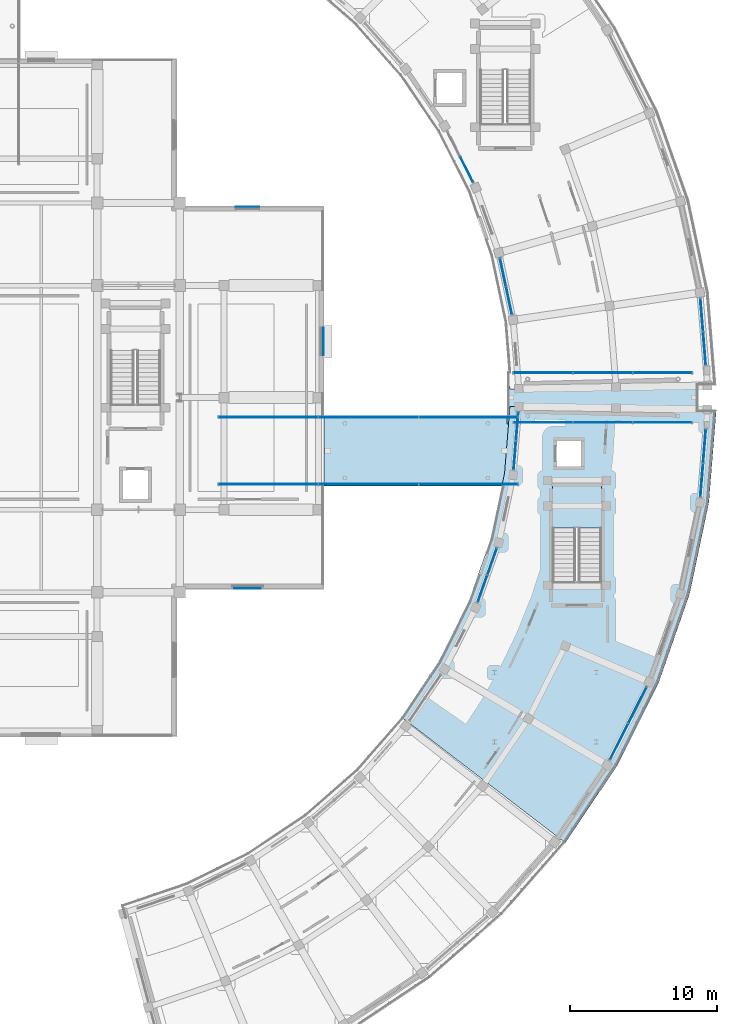
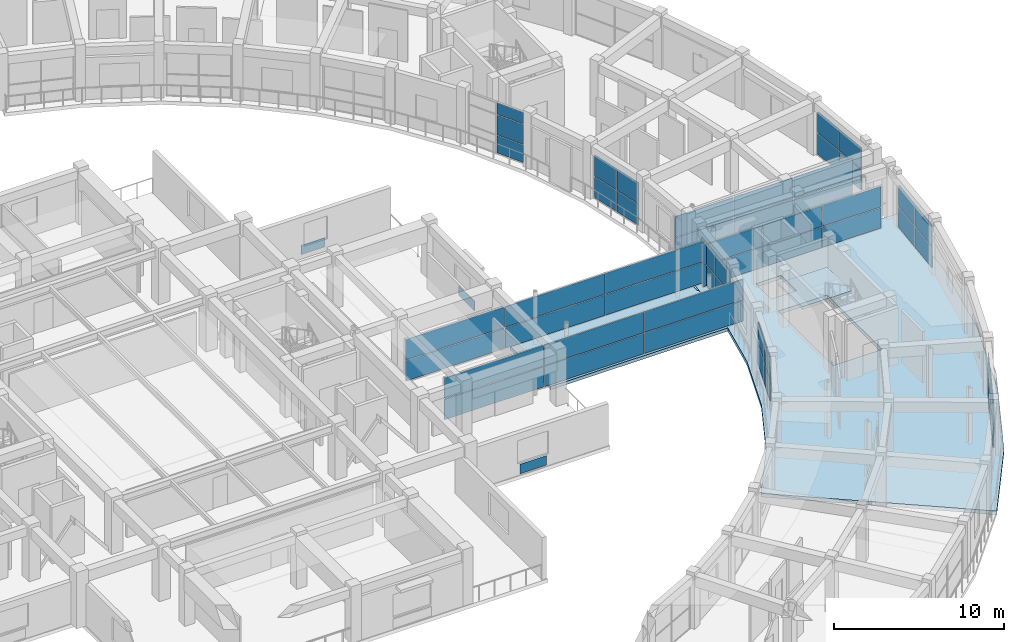
# One storey, part 40 of 70: 54 plates, 4 slabs, 12 elements without a shape of their own.
"""IFC4 building model written with IfcOpenShell, lengths in metres."""

import ifcopenshell
import ifcopenshell.guid

model = None  # the IFC model being written
_history = None  # IfcOwnerHistory: only IFC2X3 demands one
_inside = {}  # id of a spatial element -> (the spatial element, [elements in it])
_under = {}  # id of a project, library or spatial element -> (it, [spatial elements below it])
_declared = {}  # id of a project -> (the project, [libraries it declares])
_typed = {}  # id of a type object -> (the type object, [elements of that type])
_made_of = {}  # id of a material, layer set ... -> (it, [elements and type objects made of it])


def new_model(schema):
    """Start an empty IFC model of exactly this schema.

    Asked for "IFC4X3", IfcOpenShell would pick the latest addendum, in which some entities
    have other attributes; the version numbers below select the first issue.
    IFC2X3 requires an IfcOwnerHistory on every rooted entity: one is made here for all.
    """
    global model, _history
    if schema == "IFC4X3":
        model = ifcopenshell.file(schema_version=(4, 3, 0, 0))
    else:
        model = ifcopenshell.file(schema=schema)
    _inside.clear()
    _under.clear()
    _declared.clear()
    _typed.clear()
    _made_of.clear()
    _history = None
    if model.schema == "IFC2X3":
        org = make("IfcOrganization", Name="unknown")
        user = make(
            "IfcPersonAndOrganization",
            ThePerson=make("IfcPerson", FamilyName="unknown"),
            TheOrganization=org,
        )
        app = make(
            "IfcApplication",
            ApplicationDeveloper=org,
            Version="unknown",
            ApplicationFullName="unknown",
            ApplicationIdentifier="unknown",
        )
        _history = make(
            "IfcOwnerHistory",
            OwningUser=user,
            OwningApplication=app,
            ChangeAction="ADDED",
            CreationDate=0,
        )
    return model


def make(cls, **values):
    """One entity of the class cls with the attributes given. An attribute that is None is left unset."""
    return model.create_entity(
        cls, **{name: value for name, value in values.items() if value is not None}
    )


def rooted(cls, **values):
    """An entity with a GlobalId (a new one), such as an element, a storey or a relation."""
    return make(cls, GlobalId=ifcopenshell.guid.new(), OwnerHistory=_history, **values)


def si_unit(unit_type, name, prefix=None):
    """IfcSIUnit, for example si_unit("LENGTHUNIT", "METRE", prefix="MILLI")."""
    return make("IfcSIUnit", UnitType=unit_type, Prefix=prefix, Name=name)


def assignment(units):
    """IfcUnitAssignment: the units of a project."""
    return None if units is None else make("IfcUnitAssignment", Units=units)


def point(xyz):
    """IfcCartesianPoint."""
    return None if xyz is None else make("IfcCartesianPoint", Coordinates=xyz)


def direction(xyz):
    """IfcDirection."""
    return None if xyz is None else make("IfcDirection", DirectionRatios=xyz)


def frame(location, z_axis=None, x_axis=None):
    """IfcAxis2Placement3D, a coordinate frame: its origin and axes. An axis left out is left unset."""
    return make(
        "IfcAxis2Placement3D",
        Location=point(location),
        Axis=direction(z_axis),
        RefDirection=direction(x_axis),
    )


def frame_2d(location, x_axis=None):
    """IfcAxis2Placement2D, a coordinate frame in the plane: its origin and x axis."""
    return make(
        "IfcAxis2Placement2D", Location=point(location), RefDirection=direction(x_axis)
    )


def origin():
    """The frame at (0, 0, 0) with its axes left unset."""
    return frame((0.0, 0.0, 0.0))


def origin_2d():
    """The frame at (0, 0) in the plane with its x axis left unset."""
    return frame_2d((0.0, 0.0))


def place(relative_to, where):
    """IfcLocalPlacement: puts the frame where relative to a parent placement (None: the world)."""
    return make(
        "IfcLocalPlacement", PlacementRelTo=relative_to, RelativePlacement=where
    )


def context(
    kind, dimensions, precision=None, world=None, true_north=None, identifier=None
):
    """IfcGeometricRepresentationContext, for example the 3D "Model" context."""
    return make(
        "IfcGeometricRepresentationContext",
        ContextIdentifier=identifier,
        ContextType=kind,
        CoordinateSpaceDimension=dimensions,
        Precision=precision,
        WorldCoordinateSystem=world,
        TrueNorth=true_north,
    )


def subcontext(parent, identifier, kind, view, scale=None):
    """IfcGeometricRepresentationSubContext, for example "Body" below "Model"."""
    return make(
        "IfcGeometricRepresentationSubContext",
        ContextIdentifier=identifier,
        ContextType=kind,
        ParentContext=parent,
        TargetScale=scale,
        TargetView=view,
    )


def project(units=None, contexts=None):
    """IfcProject with its units and contexts."""
    return rooted(
        "IfcProject",
        Name="project",
        RepresentationContexts=contexts,
        UnitsInContext=assignment(units),
    )


def spatial(cls, under=None, at=None, **own):
    """A site, building, storey or space (cls), placed at a placement, below another one or the project."""
    s = rooted(cls, ObjectPlacement=at, **own)
    if under is not None:
        _under.setdefault(under.id(), (under, []))[1].append(s)
    return s


def polyline(points):
    """IfcPolyline through the points."""
    return make("IfcPolyline", Points=[point(p) for p in points])


def profile(cls, at=None, kind="AREA", **sizes):
    """A parametric profile (cls). Its sizes go by their IFC names, for example OverallWidth=200.0."""
    return make(cls, ProfileType=kind, Position=at, **sizes)


def rectangle(**sizes):
    """IfcRectangleProfileDef."""
    return profile("IfcRectangleProfileDef", **sizes)


def outline(outer, holes=None, kind="AREA"):
    """IfcArbitraryClosedProfileDef: a profile drawn as a closed curve; with holes, ...WithVoids."""
    if holes is None:
        return make("IfcArbitraryClosedProfileDef", ProfileType=kind, OuterCurve=outer)
    return make(
        "IfcArbitraryProfileDefWithVoids",
        ProfileType=kind,
        OuterCurve=outer,
        InnerCurves=holes,
    )


def extrude(swept, where, along, depth):
    """IfcExtrudedAreaSolid: the profile swept, set in the frame where, extruded along a direction by depth."""
    return make(
        "IfcExtrudedAreaSolid",
        SweptArea=swept,
        Position=where,
        ExtrudedDirection=direction(along),
        Depth=depth,
    )


def shape(context_of_items, identifier, shape_type, items):
    """IfcShapeRepresentation: the items that make up one representation, for example the "Body"."""
    return make(
        "IfcShapeRepresentation",
        ContextOfItems=context_of_items,
        RepresentationIdentifier=identifier,
        RepresentationType=shape_type,
        Items=items,
    )


def material(Name=None, Category=None):
    """IfcMaterial."""
    return make("IfcMaterial", Name=Name, Category=Category)


def layer(
    of_material, thickness, ventilated=None, Name=None, Category=None, Priority=None
):
    """IfcMaterialLayer: one layer of a wall or slab, of a material (None: an air gap)."""
    return make(
        "IfcMaterialLayer",
        Material=of_material,
        LayerThickness=thickness,
        IsVentilated=ventilated,
        Name=Name,
        Category=Category,
        Priority=Priority,
    )


def layer_set(layers, Name=None):
    """IfcMaterialLayerSet."""
    return make("IfcMaterialLayerSet", MaterialLayers=layers, LayerSetName=Name)


def made_of(thing, what):
    """Note that an element or type object is made of a material, layer set ...; save() writes the relation."""
    if what is not None:
        _made_of.setdefault(what.id(), (what, []))[1].append(thing)
    return thing


def type_object(cls, material=None, **own):
    """A type object (cls), such as IfcWallType, which elements share."""
    return made_of(rooted(cls, **own), material)


def element(
    cls,
    number,
    at=None,
    inside=None,
    cuts=None,
    type_object=None,
    material=None,
    context=None,
    identifier="Body",
    shape_type=None,
    held_by="IfcProductDefinitionShape",
    body=None,
    shapes=None,
    **own,
):
    """One element of the class cls, such as IfcWall. Its Tag is "e" and its number.

    at: its placement. inside: the storey or other place that contains it. cuts: it is an
    opening in that element (IfcRelVoidsElement). A single representation is given by context,
    identifier, shape_type and body (its items); several are given by shapes. held_by: the class
    of the entity that holds the representations. save() writes the other relations.
    """
    e = rooted(cls, Tag="e%d" % number, ObjectPlacement=at, **own)
    if body is not None:
        shapes = [shape(context, identifier, shape_type, body)]
    if shapes is not None:
        e.Representation = make(held_by, Representations=shapes)
    if inside is not None:
        _inside.setdefault(inside.id(), (inside, []))[1].append(e)
    if cuts is not None:
        rooted(
            "IfcRelVoidsElement", RelatingBuildingElement=cuts, RelatedOpeningElement=e
        )
    if type_object is not None:
        _typed.setdefault(type_object.id(), (type_object, []))[1].append(e)
    return made_of(e, material)


def aggregate(whole, parts):
    """IfcRelAggregates: a whole, such as a stair, and the parts it consists of."""
    return rooted("IfcRelAggregates", RelatingObject=whole, RelatedObjects=parts)


def save(model, path):
    """Write the relations noted so far, then the file.

    IfcRelAggregates (storeys below a building ...), IfcRelContainedInSpatialStructure (elements
    in a storey), IfcRelDefinesByType, IfcRelAssociatesMaterial and IfcRelDeclares: one each for
    every whole, place, type object, material and project.
    """
    for whole, parts in _under.values():
        aggregate(whole, parts)
    for where, things in _inside.values():
        rooted(
            "IfcRelContainedInSpatialStructure",
            RelatedElements=things,
            RelatingStructure=where,
        )
    for kind, things in _typed.values():
        rooted("IfcRelDefinesByType", RelatedObjects=things, RelatingType=kind)
    for what, things in _made_of.values():
        rooted("IfcRelAssociatesMaterial", RelatedObjects=things, RelatingMaterial=what)
    for by, libraries in _declared.values():
        rooted("IfcRelDeclares", RelatingContext=by, RelatedDefinitions=libraries)
    model.write(path)


model = new_model("IFC4")

# Units and contexts
model_context = context("Model", 3, precision=1e-05, world=origin(), true_north=direction((0.0, 1.0)))
body_context = subcontext(model_context, "Body", "Model", "MODEL_VIEW")
ifc_project = project(units=[si_unit("LENGTHUNIT", "METRE"), si_unit("AREAUNIT", "SQUARE_METRE"), si_unit("VOLUMEUNIT", "CUBIC_METRE"), si_unit("PLANEANGLEUNIT", "RADIAN"), si_unit("MASSUNIT", "GRAM", prefix="KILO")], contexts=[model_context])

# Site, building, storey
site_placement = place(None, origin())
site = spatial("IfcSite", under=ifc_project, at=site_placement, CompositionType="ELEMENT")
building_placement = place(site_placement, origin())
building = spatial("IfcBuilding", under=site, at=building_placement, Name="Saryqyr Civic Hall", CompositionType="ELEMENT")
storey_placement = place(building_placement, frame((0.0, 0.0, 13.199951171875)))
storey = spatial("IfcBuildingStorey", under=building, at=storey_placement, Name="L03", CompositionType="ELEMENT", Elevation=13.199951171875)

# Curtain wall, plates
ifc_material_1 = material(Name="Anodised aluminium and triple low-E glass", Category="aluminium")
curtain_wall_type_1 = type_object("IfcCurtainWallType", Name="ENV-CW-STD-40", PredefinedType="NOTDEFINED", material=ifc_material_1)
curtain_wall_1_placement = place(storey_placement, origin())
curtain_wall_1 = element("IfcCurtainWall", 1, at=curtain_wall_1_placement, inside=storey, type_object=curtain_wall_type_1, Name="Curtain wall V5-CWO-L03-06", PredefinedType="NOTDEFINED")
ifc_material_2 = material(Name="Triple low-E insulated glazing", Category="glass")
ifc_layer_1 = layer(ifc_material_2, 0.053955078125, Name="Triple low-E insulated glazing")
ifc_layer_set_1 = layer_set([ifc_layer_1], Name="Triple low-E insulated glazing")
plate_type_1 = type_object("IfcPlateType", Name="ENV-CW-PNL-38", PredefinedType="CURTAIN_PANEL", material=ifc_layer_set_1)
plate_1_placement = place(storey_placement, frame((101.241455078125, 63.129638671875, 0.06005859375), z_axis=(0.0, 0.0, 1.0), x_axis=(-0.451943063525, -0.892046785394, 0.0)))
plate_1 = element("IfcPlate", 2, at=plate_1_placement, type_object=plate_type_1, Name="CW-40 panel 1.1", PredefinedType="CURTAIN_PANEL", context=body_context, shape_type="SweptSolid", body=[
    extrude(rectangle(XDim=2.693115234375, YDim=0.053955078125, at=origin_2d()), origin(), (0.0, 0.0, 1.0), 1.491943359375),
])
plate_2_placement = place(storey_placement, frame((101.241455078125, 63.129638671875, 1.6123046875), z_axis=(0.0, 0.0, 1.0), x_axis=(-0.451943063525, -0.892046785394, 0.0)))
plate_2 = element("IfcPlate", 3, at=plate_2_placement, type_object=plate_type_1, Name="CW-40 panel 1.2", PredefinedType="CURTAIN_PANEL", context=body_context, shape_type="SweptSolid", body=[
    extrude(rectangle(XDim=2.693115234375, YDim=0.053955078125, at=origin_2d()), origin(), (0.0, 0.0, 1.0), 1.492919921875),
])
plate_3_placement = place(storey_placement, frame((99.997314453125, 60.673828125, 0.06005859375), z_axis=(0.0, 0.0, 1.0), x_axis=(-0.451943063525, -0.892046785394, 0.0)))
plate_3 = element("IfcPlate", 4, at=plate_3_placement, type_object=plate_type_1, Name="CW-40 panel 2.1", PredefinedType="CURTAIN_PANEL", context=body_context, shape_type="SweptSolid", body=[
    extrude(rectangle(XDim=2.693115234375, YDim=0.053955078125, at=origin_2d()), origin(), (0.0, 0.0, 1.0), 1.491943359375),
])
plate_4_placement = place(storey_placement, frame((99.997314453125, 60.673828125, 1.6123046875), z_axis=(0.0, 0.0, 1.0), x_axis=(-0.451943063525, -0.892046785394, 0.0)))
plate_4 = element("IfcPlate", 5, at=plate_4_placement, type_object=plate_type_1, Name="CW-40 panel 2.2", PredefinedType="CURTAIN_PANEL", context=body_context, shape_type="SweptSolid", body=[
    extrude(rectangle(XDim=2.693115234375, YDim=0.053955078125, at=origin_2d()), origin(), (0.0, 0.0, 1.0), 1.492919921875),
])
aggregate(curtain_wall_1, [plate_1, plate_2, plate_3, plate_4])

curtain_wall_type_2 = type_object("IfcCurtainWallType", Name="ENV-CW-STD-21", PredefinedType="NOTDEFINED", material=ifc_material_1)
curtain_wall_2_placement = place(storey_placement, origin())
curtain_wall_2 = element("IfcCurtainWall", 6, at=curtain_wall_2_placement, inside=storey, type_object=curtain_wall_type_2, Name="Curtain wall V5-CWI-L03-07", PredefinedType="NOTDEFINED")
plate_5_placement = place(storey_placement, frame((90.73583984375, 71.0458984375, 0.06005859375), z_axis=(0.0, 0.0, 1.0), x_axis=(0.333171977335, 0.94286607401, 0.0)))
plate_5 = element("IfcPlate", 7, at=plate_5_placement, type_object=plate_type_1, Name="CW-21 panel 1.1", PredefinedType="CURTAIN_PANEL", context=body_context, shape_type="SweptSolid", body=[
    extrude(rectangle(XDim=1.886962890625, YDim=0.053955078125, at=origin_2d()), origin(), (0.0, 0.0, 1.0), 1.491943359375),
])
plate_6_placement = place(storey_placement, frame((90.73583984375, 71.0458984375, 1.6123046875), z_axis=(0.0, 0.0, 1.0), x_axis=(0.333171977335, 0.94286607401, 0.0)))
plate_6 = element("IfcPlate", 8, at=plate_6_placement, type_object=plate_type_1, Name="CW-21 panel 1.2", PredefinedType="CURTAIN_PANEL", context=body_context, shape_type="SweptSolid", body=[
    extrude(rectangle(XDim=1.886962890625, YDim=0.053955078125, at=origin_2d()), origin(), (0.0, 0.0, 1.0), 1.492919921875),
])
plate_7_placement = place(storey_placement, frame((91.384765625, 72.881591796875, 0.06005859375), z_axis=(0.0, 0.0, 1.0), x_axis=(0.333171977335, 0.94286607401, 0.0)))
plate_7 = element("IfcPlate", 9, at=plate_7_placement, type_object=plate_type_1, Name="CW-21 panel 2.1", PredefinedType="CURTAIN_PANEL", context=body_context, shape_type="SweptSolid", body=[
    extrude(rectangle(XDim=1.886962890625, YDim=0.053955078125, at=origin_2d()), origin(), (0.0, 0.0, 1.0), 1.491943359375),
])
plate_8_placement = place(storey_placement, frame((91.384765625, 72.881591796875, 1.6123046875), z_axis=(0.0, 0.0, 1.0), x_axis=(0.333171977335, 0.94286607401, 0.0)))
plate_8 = element("IfcPlate", 10, at=plate_8_placement, type_object=plate_type_1, Name="CW-21 panel 2.2", PredefinedType="CURTAIN_PANEL", context=body_context, shape_type="SweptSolid", body=[
    extrude(rectangle(XDim=1.886962890625, YDim=0.053955078125, at=origin_2d()), origin(), (0.0, 0.0, 1.0), 1.492919921875),
])
aggregate(curtain_wall_2, [plate_5, plate_6, plate_7, plate_8])

curtain_wall_type_3 = type_object("IfcCurtainWallType", Name="ENV-CW-STD-41", PredefinedType="NOTDEFINED", material=ifc_material_1)
curtain_wall_3_placement = place(storey_placement, origin())
curtain_wall_3 = element("IfcCurtainWall", 11, at=curtain_wall_3_placement, inside=storey, type_object=curtain_wall_type_3, Name="Curtain wall V5-CWO-L03-09", PredefinedType="NOTDEFINED")
plate_9_placement = place(storey_placement, frame((105.791748046875, 80.712646484375, 0.06005859375), z_axis=(0.0, 0.0, 1.0), x_axis=(-0.081092831142, -0.996706552972, 0.0)))
plate_9 = element("IfcPlate", 12, at=plate_9_placement, type_object=plate_type_1, Name="CW-41 panel 1.1", PredefinedType="CURTAIN_PANEL", context=body_context, shape_type="SweptSolid", body=[
    extrude(rectangle(XDim=2.256103515625, YDim=0.053955078125, at=origin_2d()), origin(), (0.0, 0.0, 1.0), 1.491943359375),
])
plate_10_placement = place(storey_placement, frame((105.791748046875, 80.712646484375, 1.6123046875), z_axis=(0.0, 0.0, 1.0), x_axis=(-0.081092831142, -0.996706552972, 0.0)))
plate_10 = element("IfcPlate", 13, at=plate_10_placement, type_object=plate_type_1, Name="CW-41 panel 1.2", PredefinedType="CURTAIN_PANEL", context=body_context, shape_type="SweptSolid", body=[
    extrude(rectangle(XDim=2.256103515625, YDim=0.053955078125, at=origin_2d()), origin(), (0.0, 0.0, 1.0), 1.492919921875),
])
plate_11_placement = place(storey_placement, frame((105.60400390625, 78.404052734375, 0.06005859375), z_axis=(0.0, 0.0, 1.0), x_axis=(-0.081092831142, -0.996706552972, 0.0)))
plate_11 = element("IfcPlate", 14, at=plate_11_placement, type_object=plate_type_1, Name="CW-41 panel 2.1", PredefinedType="CURTAIN_PANEL", context=body_context, shape_type="SweptSolid", body=[
    extrude(rectangle(XDim=2.256103515625, YDim=0.053955078125, at=origin_2d()), origin(), (0.0, 0.0, 1.0), 1.491943359375),
])
plate_12_placement = place(storey_placement, frame((105.60400390625, 78.404052734375, 1.6123046875), z_axis=(0.0, 0.0, 1.0), x_axis=(-0.081092831142, -0.996706552972, 0.0)))
plate_12 = element("IfcPlate", 15, at=plate_12_placement, type_object=plate_type_1, Name="CW-41 panel 2.2", PredefinedType="CURTAIN_PANEL", context=body_context, shape_type="SweptSolid", body=[
    extrude(rectangle(XDim=2.256103515625, YDim=0.053955078125, at=origin_2d()), origin(), (0.0, 0.0, 1.0), 1.492919921875),
])
aggregate(curtain_wall_3, [plate_9, plate_10, plate_11, plate_12])

curtain_wall_4_placement = place(storey_placement, origin())
curtain_wall_4 = element("IfcCurtainWall", 16, at=curtain_wall_4_placement, inside=storey, type_object=curtain_wall_type_2, Name="Curtain wall V5-CWI-L03-09", PredefinedType="NOTDEFINED")
plate_13_placement = place(storey_placement, frame((92.92578125, 80.08984375, 0.06005859375), z_axis=(0.0, 0.0, 1.0), x_axis=(0.081090889978, 0.996706710905, 0.0)))
plate_13 = element("IfcPlate", 17, at=plate_13_placement, type_object=plate_type_1, Name="CW-21 panel 1.1", PredefinedType="CURTAIN_PANEL", context=body_context, shape_type="SweptSolid", body=[
    extrude(rectangle(XDim=1.906494140625, YDim=0.053955078125, at=origin_2d()), origin(), (0.0, 0.0, 1.0), 1.491943359375),
])
plate_14_placement = place(storey_placement, frame((92.92578125, 80.08984375, 1.6123046875), z_axis=(0.0, 0.0, 1.0), x_axis=(0.081090889978, 0.996706710905, 0.0)))
plate_14 = element("IfcPlate", 18, at=plate_14_placement, type_object=plate_type_1, Name="CW-21 panel 1.2", PredefinedType="CURTAIN_PANEL", context=body_context, shape_type="SweptSolid", body=[
    extrude(rectangle(XDim=1.906494140625, YDim=0.053955078125, at=origin_2d()), origin(), (0.0, 0.0, 1.0), 1.492919921875),
])
plate_15_placement = place(storey_placement, frame((93.085205078125, 82.0498046875, 0.06005859375), z_axis=(0.0, 0.0, 1.0), x_axis=(0.081090889978, 0.996706710905, 0.0)))
plate_15 = element("IfcPlate", 19, at=plate_15_placement, type_object=plate_type_1, Name="CW-21 panel 2.1", PredefinedType="CURTAIN_PANEL", context=body_context, shape_type="SweptSolid", body=[
    extrude(rectangle(XDim=1.906494140625, YDim=0.053955078125, at=origin_2d()), origin(), (0.0, 0.0, 1.0), 1.491943359375),
])
plate_16_placement = place(storey_placement, frame((93.085205078125, 82.0498046875, 1.6123046875), z_axis=(0.0, 0.0, 1.0), x_axis=(0.081090889978, 0.996706710905, 0.0)))
plate_16 = element("IfcPlate", 20, at=plate_16_placement, type_object=plate_type_1, Name="CW-21 panel 2.2", PredefinedType="CURTAIN_PANEL", context=body_context, shape_type="SweptSolid", body=[
    extrude(rectangle(XDim=1.906494140625, YDim=0.053955078125, at=origin_2d()), origin(), (0.0, 0.0, 1.0), 1.492919921875),
])
aggregate(curtain_wall_4, [plate_13, plate_14, plate_15, plate_16])

curtain_wall_type_4 = type_object("IfcCurtainWallType", Name="ENV-CW-STD-30", PredefinedType="NOTDEFINED", material=ifc_material_1)
curtain_wall_5_placement = place(storey_placement, origin())
curtain_wall_5 = element("IfcCurtainWall", 21, at=curtain_wall_5_placement, inside=storey, type_object=curtain_wall_type_4, Name="Curtain wall V6-CWO-L03-00", PredefinedType="NOTDEFINED")
plate_17_placement = place(storey_placement, frame((105.6025390625, 89.61474609375, 0.06005859375), z_axis=(0.0, 0.0, 1.0), x_axis=(0.081093274213, -0.996706516923, 0.0)))
plate_17 = element("IfcPlate", 22, at=plate_17_placement, type_object=plate_type_1, Name="CW-30 panel 1.1", PredefinedType="CURTAIN_PANEL", context=body_context, shape_type="SweptSolid", body=[
    extrude(rectangle(XDim=2.218505859375, YDim=0.053955078125, at=origin_2d()), origin(), (0.0, 0.0, 1.0), 1.491943359375),
])
plate_18_placement = place(storey_placement, frame((105.6025390625, 89.61474609375, 1.6123046875), z_axis=(0.0, 0.0, 1.0), x_axis=(0.081093274213, -0.996706516923, 0.0)))
plate_18 = element("IfcPlate", 23, at=plate_18_placement, type_object=plate_type_1, Name="CW-30 panel 1.2", PredefinedType="CURTAIN_PANEL", context=body_context, shape_type="SweptSolid", body=[
    extrude(rectangle(XDim=2.218505859375, YDim=0.053955078125, at=origin_2d()), origin(), (0.0, 0.0, 1.0), 1.492919921875),
])
plate_19_placement = place(storey_placement, frame((105.787353515625, 87.34375, 0.06005859375), z_axis=(0.0, 0.0, 1.0), x_axis=(0.081093274213, -0.996706516923, 0.0)))
plate_19 = element("IfcPlate", 24, at=plate_19_placement, type_object=plate_type_1, Name="CW-30 panel 2.1", PredefinedType="CURTAIN_PANEL", context=body_context, shape_type="SweptSolid", body=[
    extrude(rectangle(XDim=2.218505859375, YDim=0.053955078125, at=origin_2d()), origin(), (0.0, 0.0, 1.0), 1.491943359375),
])
plate_20_placement = place(storey_placement, frame((105.787353515625, 87.34375, 1.6123046875), z_axis=(0.0, 0.0, 1.0), x_axis=(0.081093274213, -0.996706516923, 0.0)))
plate_20 = element("IfcPlate", 25, at=plate_20_placement, type_object=plate_type_1, Name="CW-30 panel 2.2", PredefinedType="CURTAIN_PANEL", context=body_context, shape_type="SweptSolid", body=[
    extrude(rectangle(XDim=2.218505859375, YDim=0.053955078125, at=origin_2d()), origin(), (0.0, 0.0, 1.0), 1.492919921875),
])
aggregate(curtain_wall_5, [plate_17, plate_18, plate_19, plate_20])

curtain_wall_6_placement = place(storey_placement, origin())
curtain_wall_6 = element("IfcCurtainWall", 26, at=curtain_wall_6_placement, inside=storey, type_object=curtain_wall_type_2, Name="Curtain wall V6-CWI-L03-01", PredefinedType="NOTDEFINED")
plate_21_placement = place(storey_placement, frame((92.5322265625, 90.587890625, 0.06005859375), z_axis=(0.0, 0.0, 1.0), x_axis=(-0.208899296688, 0.97793715741, 0.0)))
plate_21 = element("IfcPlate", 27, at=plate_21_placement, type_object=plate_type_1, Name="CW-21 panel 1.1", PredefinedType="CURTAIN_PANEL", context=body_context, shape_type="SweptSolid", body=[
    extrude(rectangle(XDim=1.89990234375, YDim=0.053955078125, at=origin_2d()), origin(), (0.0, 0.0, 1.0), 1.491943359375),
])
plate_22_placement = place(storey_placement, frame((92.5322265625, 90.587890625, 1.6123046875), z_axis=(0.0, 0.0, 1.0), x_axis=(-0.208899296688, 0.97793715741, 0.0)))
plate_22 = element("IfcPlate", 28, at=plate_22_placement, type_object=plate_type_1, Name="CW-21 panel 1.2", PredefinedType="CURTAIN_PANEL", context=body_context, shape_type="SweptSolid", body=[
    extrude(rectangle(XDim=1.89990234375, YDim=0.053955078125, at=origin_2d()), origin(), (0.0, 0.0, 1.0), 1.492919921875),
])
plate_23_placement = place(storey_placement, frame((92.122802734375, 92.50439453125, 0.06005859375), z_axis=(0.0, 0.0, 1.0), x_axis=(-0.208899296688, 0.97793715741, 0.0)))
plate_23 = element("IfcPlate", 29, at=plate_23_placement, type_object=plate_type_1, Name="CW-21 panel 2.1", PredefinedType="CURTAIN_PANEL", context=body_context, shape_type="SweptSolid", body=[
    extrude(rectangle(XDim=1.89990234375, YDim=0.053955078125, at=origin_2d()), origin(), (0.0, 0.0, 1.0), 1.491943359375),
])
plate_24_placement = place(storey_placement, frame((92.122802734375, 92.50439453125, 1.6123046875), z_axis=(0.0, 0.0, 1.0), x_axis=(-0.208899296688, 0.97793715741, 0.0)))
plate_24 = element("IfcPlate", 30, at=plate_24_placement, type_object=plate_type_1, Name="CW-21 panel 2.2", PredefinedType="CURTAIN_PANEL", context=body_context, shape_type="SweptSolid", body=[
    extrude(rectangle(XDim=1.89990234375, YDim=0.053955078125, at=origin_2d()), origin(), (0.0, 0.0, 1.0), 1.492919921875),
])
aggregate(curtain_wall_6, [plate_21, plate_22, plate_23, plate_24])

curtain_wall_type_5 = type_object("IfcCurtainWallType", Name="ENV-CW-STD-48", PredefinedType="NOTDEFINED", material=ifc_material_1)
curtain_wall_7_placement = place(storey_placement, origin())
curtain_wall_7 = element("IfcCurtainWall", 31, at=curtain_wall_7_placement, inside=storey, type_object=curtain_wall_type_5, Name="Curtain wall V6-CWI-L03-03", PredefinedType="NOTDEFINED")
plate_25_placement = place(storey_placement, frame((89.66015625, 99.466552734375, 0.06005859375), z_axis=(0.0, 0.0, 1.0), x_axis=(-0.451909750219, 0.892063662334, 0.0)))
plate_25 = element("IfcPlate", 32, at=plate_25_placement, type_object=plate_type_1, Name="CW-48 panel 1.1", PredefinedType="CURTAIN_PANEL", context=body_context, shape_type="SweptSolid", body=[
    extrude(rectangle(XDim=1.866455078125, YDim=0.053955078125, at=origin_2d()), origin(), (0.0, 0.0, 1.0), 1.241943359375),
])
plate_26_placement = place(storey_placement, frame((89.66015625, 99.466552734375, 1.362060546875), z_axis=(0.0, 0.0, 1.0), x_axis=(-0.451909750219, 0.892063662334, 0.0)))
plate_26 = element("IfcPlate", 33, at=plate_26_placement, type_object=plate_type_1, Name="CW-48 panel 1.2", PredefinedType="CURTAIN_PANEL", context=body_context, shape_type="SweptSolid", body=[
    extrude(rectangle(XDim=1.866455078125, YDim=0.053955078125, at=origin_2d()), origin(), (0.0, 0.0, 1.0), 1.419921875),
])
plate_27_placement = place(storey_placement, frame((89.66015625, 99.466552734375, 2.841796875), z_axis=(0.0, 0.0, 1.0), x_axis=(-0.451909750219, 0.892063662334, 0.0)))
plate_27 = element("IfcPlate", 34, at=plate_27_placement, type_object=plate_type_1, Name="CW-48 panel 1.3", PredefinedType="CURTAIN_PANEL", context=body_context, shape_type="SweptSolid", body=[
    extrude(rectangle(XDim=1.866455078125, YDim=0.053955078125, at=origin_2d()), origin(), (0.0, 0.0, 1.0), 0.798095703125),
])
aggregate(curtain_wall_7, [plate_25, plate_26, plate_27])

curtain_wall_type_6 = type_object("IfcCurtainWallType", Name="ENV-CW-STD-81", PredefinedType="NOTDEFINED", material=ifc_material_1)
curtain_wall_8_placement = place(storey_placement, origin())
curtain_wall_8 = element("IfcCurtainWall", 35, at=curtain_wall_8_placement, inside=storey, type_object=curtain_wall_type_6, Name="Curtain wall BR-E-CW1-L03", PredefinedType="NOTDEFINED")
plate_28_placement = place(storey_placement, frame((102.95166015625, 82.320068359375, 0.06005859375), z_axis=(0.0, 0.0, 1.0), x_axis=(-1.0, 0.0, 0.0)))
plate_28 = element("IfcPlate", 36, at=plate_28_placement, type_object=plate_type_1, Name="CW-81 panel 1.1", PredefinedType="CURTAIN_PANEL", context=body_context, shape_type="SweptSolid", body=[
    extrude(rectangle(XDim=3.9765625, YDim=0.053955078125, at=origin_2d()), origin(), (0.0, 0.0, 1.0), 1.4599609375),
])
plate_29_placement = place(storey_placement, frame((102.95166015625, 82.320068359375, 1.580078125), z_axis=(0.0, 0.0, 1.0), x_axis=(-1.0, 0.0, 0.0)))
plate_29 = element("IfcPlate", 37, at=plate_29_placement, type_object=plate_type_1, Name="CW-81 panel 1.2", PredefinedType="CURTAIN_PANEL", context=body_context, shape_type="SweptSolid", body=[
    extrude(rectangle(XDim=3.9765625, YDim=0.053955078125, at=origin_2d()), origin(), (0.0, 0.0, 1.0), 1.4599609375),
])
plate_30_placement = place(storey_placement, frame((98.89990234375, 82.320068359375, 0.06005859375), z_axis=(0.0, 0.0, 1.0), x_axis=(-1.0, 0.0, 0.0)))
plate_30 = element("IfcPlate", 38, at=plate_30_placement, type_object=plate_type_1, Name="CW-81 panel 2.1", PredefinedType="CURTAIN_PANEL", context=body_context, shape_type="SweptSolid", body=[
    extrude(rectangle(XDim=4.006591796875, YDim=0.053955078125, at=origin_2d()), origin(), (0.0, 0.0, 1.0), 1.4599609375),
])
plate_31_placement = place(storey_placement, frame((98.89990234375, 82.320068359375, 1.580078125), z_axis=(0.0, 0.0, 1.0), x_axis=(-1.0, 0.0, 0.0)))
plate_31 = element("IfcPlate", 39, at=plate_31_placement, type_object=plate_type_1, Name="CW-81 panel 2.2", PredefinedType="CURTAIN_PANEL", context=body_context, shape_type="SweptSolid", body=[
    extrude(rectangle(XDim=4.006591796875, YDim=0.053955078125, at=origin_2d()), origin(), (0.0, 0.0, 1.0), 1.4599609375),
])
plate_32_placement = place(storey_placement, frame((94.848388671875, 82.320068359375, 0.06005859375), z_axis=(0.0, 0.0, 1.0), x_axis=(-1.0, 0.0, 0.0)))
plate_32 = element("IfcPlate", 40, at=plate_32_placement, type_object=plate_type_1, Name="CW-81 panel 3.1", PredefinedType="CURTAIN_PANEL", context=body_context, shape_type="SweptSolid", body=[
    extrude(rectangle(XDim=3.9765625, YDim=0.053955078125, at=origin_2d()), origin(), (0.0, 0.0, 1.0), 1.4599609375),
])
plate_33_placement = place(storey_placement, frame((94.848388671875, 82.320068359375, 1.580078125), z_axis=(0.0, 0.0, 1.0), x_axis=(-1.0, 0.0, 0.0)))
plate_33 = element("IfcPlate", 41, at=plate_33_placement, type_object=plate_type_1, Name="CW-81 panel 3.2", PredefinedType="CURTAIN_PANEL", context=body_context, shape_type="SweptSolid", body=[
    extrude(rectangle(XDim=3.9765625, YDim=0.053955078125, at=origin_2d()), origin(), (0.0, 0.0, 1.0), 1.4599609375),
])
aggregate(curtain_wall_8, [plate_28, plate_29, plate_30, plate_31, plate_32, plate_33])

curtain_wall_9_placement = place(storey_placement, origin())
curtain_wall_9 = element("IfcCurtainWall", 42, at=curtain_wall_9_placement, inside=storey, type_object=curtain_wall_type_6, Name="Curtain wall BR-E-CW2-L03", PredefinedType="NOTDEFINED")
plate_34_placement = place(storey_placement, frame((94.848388671875, 85.679931640625, 0.06005859375), z_axis=(0.0, 0.0, 1.0), x_axis=(1.0, 0.0, 0.0)))
plate_34 = element("IfcPlate", 43, at=plate_34_placement, type_object=plate_type_1, Name="CW-81 panel 1.1", PredefinedType="CURTAIN_PANEL", context=body_context, shape_type="SweptSolid", body=[
    extrude(rectangle(XDim=3.9765625, YDim=0.053955078125, at=origin_2d()), origin(), (0.0, 0.0, 1.0), 1.4599609375),
])
plate_35_placement = place(storey_placement, frame((94.848388671875, 85.679931640625, 1.580078125), z_axis=(0.0, 0.0, 1.0), x_axis=(1.0, 0.0, 0.0)))
plate_35 = element("IfcPlate", 44, at=plate_35_placement, type_object=plate_type_1, Name="CW-81 panel 1.2", PredefinedType="CURTAIN_PANEL", context=body_context, shape_type="SweptSolid", body=[
    extrude(rectangle(XDim=3.9765625, YDim=0.053955078125, at=origin_2d()), origin(), (0.0, 0.0, 1.0), 1.4599609375),
])
plate_36_placement = place(storey_placement, frame((98.89990234375, 85.679931640625, 0.06005859375), z_axis=(0.0, 0.0, 1.0), x_axis=(1.0, 0.0, 0.0)))
plate_36 = element("IfcPlate", 45, at=plate_36_placement, type_object=plate_type_1, Name="CW-81 panel 2.1", PredefinedType="CURTAIN_PANEL", context=body_context, shape_type="SweptSolid", body=[
    extrude(rectangle(XDim=4.006591796875, YDim=0.053955078125, at=origin_2d()), origin(), (0.0, 0.0, 1.0), 1.4599609375),
])
plate_37_placement = place(storey_placement, frame((98.89990234375, 85.679931640625, 1.580078125), z_axis=(0.0, 0.0, 1.0), x_axis=(1.0, 0.0, 0.0)))
plate_37 = element("IfcPlate", 46, at=plate_37_placement, type_object=plate_type_1, Name="CW-81 panel 2.2", PredefinedType="CURTAIN_PANEL", context=body_context, shape_type="SweptSolid", body=[
    extrude(rectangle(XDim=4.006591796875, YDim=0.053955078125, at=origin_2d()), origin(), (0.0, 0.0, 1.0), 1.4599609375),
])
plate_38_placement = place(storey_placement, frame((102.95166015625, 85.679931640625, 0.06005859375), z_axis=(0.0, 0.0, 1.0), x_axis=(1.0, 0.0, 0.0)))
plate_38 = element("IfcPlate", 47, at=plate_38_placement, type_object=plate_type_1, Name="CW-81 panel 3.1", PredefinedType="CURTAIN_PANEL", context=body_context, shape_type="SweptSolid", body=[
    extrude(rectangle(XDim=3.9765625, YDim=0.053955078125, at=origin_2d()), origin(), (0.0, 0.0, 1.0), 1.4599609375),
])
plate_39_placement = place(storey_placement, frame((102.95166015625, 85.679931640625, 1.580078125), z_axis=(0.0, 0.0, 1.0), x_axis=(1.0, 0.0, 0.0)))
plate_39 = element("IfcPlate", 48, at=plate_39_placement, type_object=plate_type_1, Name="CW-81 panel 3.2", PredefinedType="CURTAIN_PANEL", context=body_context, shape_type="SweptSolid", body=[
    extrude(rectangle(XDim=3.9765625, YDim=0.053955078125, at=origin_2d()), origin(), (0.0, 0.0, 1.0), 1.4599609375),
])
aggregate(curtain_wall_9, [plate_34, plate_35, plate_36, plate_37, plate_38, plate_39])

curtain_wall_type_7 = type_object("IfcCurtainWallType", Name="ENV-CW-STD-87", PredefinedType="NOTDEFINED", material=ifc_material_1)
curtain_wall_10_placement = place(storey_placement, origin())
curtain_wall_10 = element("IfcCurtainWall", 49, at=curtain_wall_10_placement, inside=storey, type_object=curtain_wall_type_7, Name="Curtain wall BR-CE-CW1-L03", PredefinedType="NOTDEFINED")
plate_40_placement = place(storey_placement, frame((89.784912109375, 78.1201171875, 0.06005859375), z_axis=(0.0, 0.0, 1.0), x_axis=(-1.0, 0.0, 0.0)))
plate_40 = element("IfcPlate", 50, at=plate_40_placement, type_object=plate_type_1, Name="CW-87 panel 1.1", PredefinedType="CURTAIN_PANEL", context=body_context, shape_type="SweptSolid", body=[
    extrude(rectangle(XDim=6.7099609375, YDim=0.053955078125, at=origin_2d()), origin(), (0.0, 0.0, 1.0), 1.4599609375),
])
plate_41_placement = place(storey_placement, frame((89.784912109375, 78.1201171875, 1.580078125), z_axis=(0.0, 0.0, 1.0), x_axis=(-1.0, 0.0, 0.0)))
plate_41 = element("IfcPlate", 51, at=plate_41_placement, type_object=plate_type_1, Name="CW-87 panel 1.2", PredefinedType="CURTAIN_PANEL", context=body_context, shape_type="SweptSolid", body=[
    extrude(rectangle(XDim=6.7099609375, YDim=0.053955078125, at=origin_2d()), origin(), (0.0, 0.0, 1.0), 1.4599609375),
])
plate_42_placement = place(storey_placement, frame((83.0, 78.1201171875, 0.06005859375), z_axis=(0.0, 0.0, 1.0), x_axis=(-1.0, 0.0, 0.0)))
plate_42 = element("IfcPlate", 52, at=plate_42_placement, type_object=plate_type_1, Name="CW-87 panel 2.1", PredefinedType="CURTAIN_PANEL", context=body_context, shape_type="SweptSolid", body=[
    extrude(rectangle(XDim=6.739990234375, YDim=0.053955078125, at=origin_2d()), origin(), (0.0, 0.0, 1.0), 1.4599609375),
])
plate_43_placement = place(storey_placement, frame((83.0, 78.1201171875, 1.580078125), z_axis=(0.0, 0.0, 1.0), x_axis=(-1.0, 0.0, 0.0)))
plate_43 = element("IfcPlate", 53, at=plate_43_placement, type_object=plate_type_1, Name="CW-87 panel 2.2", PredefinedType="CURTAIN_PANEL", context=body_context, shape_type="SweptSolid", body=[
    extrude(rectangle(XDim=6.739990234375, YDim=0.053955078125, at=origin_2d()), origin(), (0.0, 0.0, 1.0), 1.4599609375),
])
plate_44_placement = place(storey_placement, frame((76.215087890625, 78.1201171875, 0.06005859375), z_axis=(0.0, 0.0, 1.0), x_axis=(-1.0, 0.0, 0.0)))
plate_44 = element("IfcPlate", 54, at=plate_44_placement, type_object=plate_type_1, Name="CW-87 panel 3.1", PredefinedType="CURTAIN_PANEL", context=body_context, shape_type="SweptSolid", body=[
    extrude(rectangle(XDim=6.7099609375, YDim=0.053955078125, at=origin_2d()), origin(), (0.0, 0.0, 1.0), 1.4599609375),
])
plate_45_placement = place(storey_placement, frame((76.215087890625, 78.1201171875, 1.580078125), z_axis=(0.0, 0.0, 1.0), x_axis=(-1.0, 0.0, 0.0)))
plate_45 = element("IfcPlate", 55, at=plate_45_placement, type_object=plate_type_1, Name="CW-87 panel 3.2", PredefinedType="CURTAIN_PANEL", context=body_context, shape_type="SweptSolid", body=[
    extrude(rectangle(XDim=6.7099609375, YDim=0.053955078125, at=origin_2d()), origin(), (0.0, 0.0, 1.0), 1.4599609375),
])
aggregate(curtain_wall_10, [plate_40, plate_41, plate_42, plate_43, plate_44, plate_45])

curtain_wall_11_placement = place(storey_placement, origin())
curtain_wall_11 = element("IfcCurtainWall", 56, at=curtain_wall_11_placement, inside=storey, type_object=curtain_wall_type_7, Name="Curtain wall BR-CE-CW2-L03", PredefinedType="NOTDEFINED")
plate_46_placement = place(storey_placement, frame((76.215087890625, 82.679931640625, 0.06005859375), z_axis=(0.0, 0.0, 1.0), x_axis=(1.0, 0.0, 0.0)))
plate_46 = element("IfcPlate", 57, at=plate_46_placement, type_object=plate_type_1, Name="CW-87 panel 1.1", PredefinedType="CURTAIN_PANEL", context=body_context, shape_type="SweptSolid", body=[
    extrude(rectangle(XDim=6.7099609375, YDim=0.053955078125, at=origin_2d()), origin(), (0.0, 0.0, 1.0), 1.4599609375),
])
plate_47_placement = place(storey_placement, frame((76.215087890625, 82.679931640625, 1.580078125), z_axis=(0.0, 0.0, 1.0), x_axis=(1.0, 0.0, 0.0)))
plate_47 = element("IfcPlate", 58, at=plate_47_placement, type_object=plate_type_1, Name="CW-87 panel 1.2", PredefinedType="CURTAIN_PANEL", context=body_context, shape_type="SweptSolid", body=[
    extrude(rectangle(XDim=6.7099609375, YDim=0.053955078125, at=origin_2d()), origin(), (0.0, 0.0, 1.0), 1.4599609375),
])
plate_48_placement = place(storey_placement, frame((83.0, 82.679931640625, 0.06005859375), z_axis=(0.0, 0.0, 1.0), x_axis=(1.0, 0.0, 0.0)))
plate_48 = element("IfcPlate", 59, at=plate_48_placement, type_object=plate_type_1, Name="CW-87 panel 2.1", PredefinedType="CURTAIN_PANEL", context=body_context, shape_type="SweptSolid", body=[
    extrude(rectangle(XDim=6.739990234375, YDim=0.053955078125, at=origin_2d()), origin(), (0.0, 0.0, 1.0), 1.4599609375),
])
plate_49_placement = place(storey_placement, frame((83.0, 82.679931640625, 1.580078125), z_axis=(0.0, 0.0, 1.0), x_axis=(1.0, 0.0, 0.0)))
plate_49 = element("IfcPlate", 60, at=plate_49_placement, type_object=plate_type_1, Name="CW-87 panel 2.2", PredefinedType="CURTAIN_PANEL", context=body_context, shape_type="SweptSolid", body=[
    extrude(rectangle(XDim=6.739990234375, YDim=0.053955078125, at=origin_2d()), origin(), (0.0, 0.0, 1.0), 1.4599609375),
])
plate_50_placement = place(storey_placement, frame((89.784912109375, 82.679931640625, 0.06005859375), z_axis=(0.0, 0.0, 1.0), x_axis=(1.0, 0.0, 0.0)))
plate_50 = element("IfcPlate", 61, at=plate_50_placement, type_object=plate_type_1, Name="CW-87 panel 3.1", PredefinedType="CURTAIN_PANEL", context=body_context, shape_type="SweptSolid", body=[
    extrude(rectangle(XDim=6.7099609375, YDim=0.053955078125, at=origin_2d()), origin(), (0.0, 0.0, 1.0), 1.4599609375),
])
plate_51_placement = place(storey_placement, frame((89.784912109375, 82.679931640625, 1.580078125), z_axis=(0.0, 0.0, 1.0), x_axis=(1.0, 0.0, 0.0)))
plate_51 = element("IfcPlate", 62, at=plate_51_placement, type_object=plate_type_1, Name="CW-87 panel 3.2", PredefinedType="CURTAIN_PANEL", context=body_context, shape_type="SweptSolid", body=[
    extrude(rectangle(XDim=6.7099609375, YDim=0.053955078125, at=origin_2d()), origin(), (0.0, 0.0, 1.0), 1.4599609375),
])
aggregate(curtain_wall_11, [plate_46, plate_47, plate_48, plate_49, plate_50, plate_51])

# Plates
ifc_material_3 = material(Name="Warm brushed brass-anodised aluminium", Category="aluminium")
ifc_layer_2 = layer(ifc_material_3, 0.008056640625, Name="Warm brushed brass-anodised aluminium")
ifc_layer_set_2 = layer_set([ifc_layer_2], Name="Warm brushed brass-anodised aluminium")
plate_type_2 = type_object("IfcPlateType", Name="ENV-PLT-BRASS-1", PredefinedType="SHEET", material=ifc_layer_set_2)
plate_52_placement = place(storey_placement, frame((74.800048828125, 71.052978515625, 0.080078125), z_axis=(0.0, 0.0, 1.0), x_axis=(-1.0, 0.0, 0.0)))
element("IfcPlate", 63, at=plate_52_placement, inside=storey, type_object=plate_type_2, Name="Warm brass spandrel cladding sheet L03-09", PredefinedType="SHEET", context=body_context, shape_type="SweptSolid", body=[
    extrude(rectangle(XDim=1.800048828125, YDim=0.008056640625, at=origin_2d()), origin(), (0.0, 0.0, 1.0), 0.679931640625),
])
ifc_layer_3 = layer(ifc_material_3, 0.02001953125, Name="Warm brushed brass-anodised aluminium")
ifc_layer_set_3 = layer_set([ifc_layer_3], Name="Warm brushed brass-anodised aluminium")
plate_type_3 = type_object("IfcPlateType", Name="ENV-PLT-BRASS-2", PredefinedType="SHEET", material=ifc_layer_set_3)
plate_53_placement = place(storey_placement, frame((74.800048828125, 96.952880859375, 0.080078125), z_axis=(0.0, 0.0, 1.0), x_axis=(1.0, 0.0, 0.0)))
element("IfcPlate", 64, at=plate_53_placement, inside=storey, type_object=plate_type_3, Name="Warm brass spandrel cladding sheet L03-07", PredefinedType="SHEET", context=body_context, shape_type="SweptSolid", body=[
    extrude(rectangle(XDim=1.60009765625, YDim=0.02001953125, at=origin_2d()), origin(), (0.0, 0.0, 1.0), 0.679931640625),
])
ifc_layer_4 = layer(ifc_material_3, 0.031982421875, Name="Warm brushed brass-anodised aluminium")
ifc_layer_set_4 = layer_set([ifc_layer_4], Name="Warm brushed brass-anodised aluminium")
plate_type_4 = type_object("IfcPlateType", Name="ENV-PLT-BRASS-3", PredefinedType="SHEET", material=ifc_layer_set_4)
plate_54_placement = place(storey_placement, frame((79.958984375, 87.800048828125, 0.080078125), z_axis=(0.0, 0.0, 1.0), x_axis=(0.0, -1.0, 0.0)))
element("IfcPlate", 65, at=plate_54_placement, inside=storey, type_object=plate_type_4, Name="Warm brass spandrel cladding sheet L03-08", PredefinedType="SHEET", context=body_context, shape_type="SweptSolid", body=[
    extrude(rectangle(XDim=1.85009765625, YDim=0.031982421875, at=origin_2d()), origin(), (0.0, 0.0, 1.0), 0.679931640625),
])

# Slabs
ifc_material_4 = material(Name="Concrete C35/45", Category="concrete")
ifc_layer_5 = layer(ifc_material_4, 0.22998046875, Name="Concrete C35/45")
ifc_layer_set_5 = layer_set([ifc_layer_5], Name="Concrete C35/45")
slab_type_1 = type_object("IfcSlabType", Name="STR-SLB-FLR-230", PredefinedType="FLOOR", material=ifc_layer_set_5)
slab_1_placement = place(storey_placement, frame((0.0, 0.0, -0.22998046875)))
element("IfcSlab", 66, at=slab_1_placement, inside=storey, type_object=slab_type_1, Name="Slab SLB-BR-E-L03", PredefinedType="FLOOR", context=body_context, shape_type="SweptSolid", body=[
    extrude(outline(polyline([(105.39990234375, 83.197509765625), (92.59521484375, 83.409912109375), (92.497802734375, 82.199951171875), (92.39990234375, 82.199951171875), (92.39990234375, 85.800048828125), (92.4970703125, 85.800048828125), (92.59521484375, 84.590087890625), (105.39990234375, 84.802490234375), (105.39990234375, 83.197509765625)])), origin(), (0.0, 0.0, 1.0), 0.22998046875),
])
slab_2_placement = place(storey_placement, frame((0.0, 0.0, -0.22998046875)))
element("IfcSlab", 67, at=slab_2_placement, inside=storey, type_object=slab_type_1, Name="Slab SLB-BR-CE-L03", PredefinedType="FLOOR", context=body_context, shape_type="SweptSolid", body=[
    extrude(outline(polyline([(92.39990234375, 82.800048828125), (92.39990234375, 82.199951171875), (92.497802734375, 82.199951171875), (92.230712890625, 78.885498046875), (92.0439453125, 78.0), (80.0, 78.0), (80.0, 82.800048828125), (92.39990234375, 82.800048828125)])), origin(), (0.0, 0.0, 1.0), 0.22998046875),
])
ifc_layer_6 = layer(ifc_material_4, 0.260009765625, Name="Concrete C35/45")
ifc_layer_set_6 = layer_set([ifc_layer_6], Name="Concrete C35/45")
slab_type_2 = type_object("IfcSlabType", Name="STR-SLB-FLR-260", PredefinedType="FLOOR", material=ifc_layer_set_6)
slab_3_placement = place(storey_placement, frame((0.0, 0.0, -0.260009765625)))
element("IfcSlab", 68, at=slab_3_placement, inside=storey, type_object=slab_type_2, Name="Slab SLB-V5B-L03", PredefinedType="FLOOR", context=body_context, shape_type="SweptSolid", body=[
    extrude(outline(polyline([(87.771240234375, 66.097900390625), (89.799072265625, 70.15869140625), (91.293701171875, 74.4443359375), (92.230712890625, 78.885498046875), (92.59521484375, 83.409912109375), (106.59326171875, 83.177490234375), (106.08544921875, 76.874267578125), (104.77978515625, 70.6865234375), (102.697509765625, 64.71533203125), (99.872314453125, 59.0576171875), (96.350341796875, 53.805419921875), (85.243408203125, 62.328125), (87.771240234375, 66.097900390625)]), holes=[polyline([(98.800048828125, 78.0), (95.47998046875, 78.0), (95.47998046875, 71.56005859375), (98.800048828125, 71.56005859375), (98.800048828125, 78.0)]), polyline([(97.449951171875, 79.300048828125), (97.449951171875, 81.10009765625), (95.75, 81.10009765625), (95.75, 79.300048828125), (97.449951171875, 79.300048828125)])]), origin(), (0.0, 0.0, 1.0), 0.260009765625),
])

# Stair, slab
stair_type = type_object("IfcStairType", Name="INT-STR-ST-5", PredefinedType="HALF_TURN_STAIR", material=ifc_material_4)
stair_placement = place(storey_placement, origin())
stair = element("IfcStair", 69, at=stair_placement, inside=storey, type_object=stair_type, Name="L03 Protected Exit Stair ST-5", PredefinedType="HALF_TURN_STAIR")
ifc_layer_7 = layer(ifc_material_4, 0.199951171875, Name="Concrete C35/45")
ifc_layer_set_7 = layer_set([ifc_layer_7], Name="Concrete C35/45")
slab_type_3 = type_object("IfcSlabType", Name="STR-SLB-LND-200", PredefinedType="LANDING", material=ifc_layer_set_7)
slab_4_placement = place(storey_placement, frame((0.0, 0.0, 1.824951171875)))
slab_4 = element("IfcSlab", 70, at=slab_4_placement, type_object=slab_type_3, Name="ST-5 landing 1", PredefinedType="LANDING", context=body_context, shape_type="SweptSolid", body=[
    extrude(outline(polyline([(98.800048828125, 75.159912109375), (98.800048828125, 78.0), (95.47998046875, 78.0), (95.47998046875, 75.159912109375), (98.800048828125, 75.159912109375)])), origin(), (0.0, 0.0, 1.0), 0.2001953125),
])
aggregate(stair, [slab_4])

save(model, "model.ifc")
